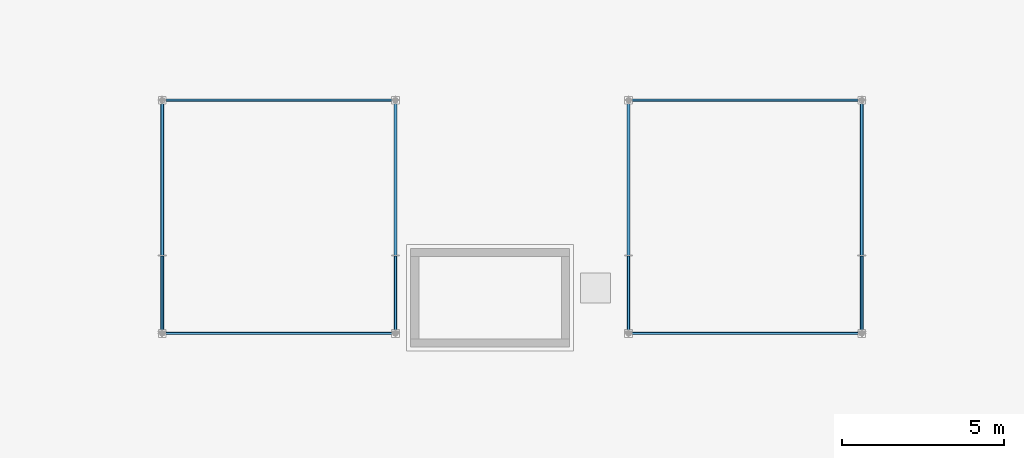
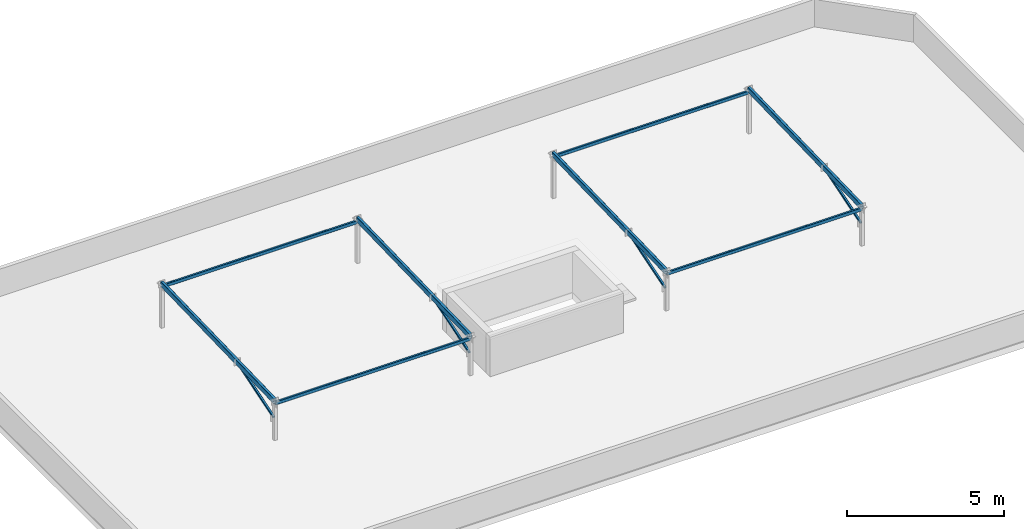
# One storey, part 4 of 31: 12 members.
"""IFC4 building model written with IfcOpenShell, lengths in metres."""

from ifc_helpers import new_model, si_unit, direction, frame, origin, origin_2d, place, context, subcontext, project, spatial, hollow_rectangle, extrude, material, material_profile, profile_set, type_object, element, save


model = new_model("IFC4")

# Units and contexts
model_context = context("Model", 3, precision=1e-05, world=origin(), true_north=direction((0.0, 1.0)))
body_context = subcontext(model_context, "Body", "Model", "MODEL_VIEW")
ifc_project = project(units=[si_unit("LENGTHUNIT", "METRE"), si_unit("AREAUNIT", "SQUARE_METRE"), si_unit("VOLUMEUNIT", "CUBIC_METRE"), si_unit("PLANEANGLEUNIT", "RADIAN"), si_unit("MASSUNIT", "GRAM", prefix="KILO")], contexts=[model_context])

# Site, building, storey
site_placement = place(None, origin())
site = spatial("IfcSite", under=ifc_project, at=site_placement, CompositionType="ELEMENT")
building_placement = place(site_placement, origin())
building = spatial("IfcBuilding", under=site, at=building_placement, Name="Ochrevale Crest", CompositionType="ELEMENT")
storey_placement = place(building_placement, frame((0.0, 0.0, 37.050048828125)))
storey = spatial("IfcBuildingStorey", under=building, at=storey_placement, Name="L11", CompositionType="ELEMENT", Elevation=37.050048828125)

# Members
ifc_material = material(Name="Steel S355", Category="steel")
ifc_material_profile_1 = material_profile(ifc_material, hollow_rectangle(XDim=0.074951171875, YDim=0.125, WallThickness=0.0048828125, InnerFilletRadius=0.0048828125, OuterFilletRadius=0.010009765625, at=origin_2d()), Name="125x75x5.0RHS")
ifc_profile_set_1 = profile_set([ifc_material_profile_1], Name="Steel S355")
member_type_1 = type_object("IfcMemberType", Name="MEM-RHS125-PR", PredefinedType="PURLIN", material=ifc_profile_set_1)
for number, where, z_axis, x_axis, name in (
    (1, (7.199951171875, 79.199951171875, 1.43994140625), (1.0, 0.0, 0.0), (0.0, 1.0, 0.0), "Block B solar-frame purlin W"),
    (2, (7.199951171875, 86.39990234375, 1.619873046875), (1.0, 0.0, 0.0), (0.0, 1.0, 0.0), "Block B solar-frame purlin W"),
    (3, (21.60009765625, 79.199951171875, 1.43994140625), (1.0, 0.0, 0.0), (0.0, 1.0, 0.0), "Block B solar-frame purlin E"),
    (4, (21.60009765625, 86.39990234375, 1.619873046875), (1.0, 0.0, 0.0), (0.0, 1.0, 0.0), "Block B solar-frame purlin E"),
):
    element("IfcMember", number, at=place(storey_placement, frame(where, z_axis=z_axis, x_axis=x_axis)), inside=storey, type_object=member_type_1, Name=name, PredefinedType="PURLIN", context=body_context, shape_type="SweptSolid", body=[
        extrude(hollow_rectangle(XDim=0.074951171875, YDim=0.125, WallThickness=0.0048828125, InnerFilletRadius=0.0048828125, OuterFilletRadius=0.010009765625, at=origin_2d()), origin(), (0.0, 0.0, 1.0), 7.199951171875),
    ])
ifc_material_profile_2 = material_profile(ifc_material, hollow_rectangle(XDim=0.10009765625, YDim=0.199951171875, WallThickness=0.006103515625, InnerFilletRadius=0.006103515625, OuterFilletRadius=0.011962890625, at=origin_2d()), Name="200x100x6.0RHS")
ifc_profile_set_2 = profile_set([ifc_material_profile_2], Name="Steel S355")
member_type_2 = type_object("IfcMemberType", Name="MEM-RHS200-RF", PredefinedType="RAFTER", material=ifc_profile_set_2)
for number, where, z_axis, x_axis, name in (
    (5, (7.199951171875, 79.199951171875, 1.52001953125), (0.0, 0.999614603568, 0.027760481514), (-1.0, 0.0, 0.0), "Block B solar-frame array rafter 1"),
    (6, (14.39990234375, 79.199951171875, 1.52001953125), (0.0, 0.999614603568, 0.027760481514), (-1.0, 0.0, 0.0), "Block B solar-frame array rafter 2"),
    (7, (21.60009765625, 79.199951171875, 1.52001953125), (0.0, 0.999614603568, 0.027760481514), (-1.0, 0.0, 0.0), "Block B solar-frame array rafter 3"),
    (8, (28.800048828125, 79.199951171875, 1.52001953125), (0.0, 0.999614603568, 0.027760481514), (-1.0, 0.0, 0.0), "Block B solar-frame array rafter 4"),
):
    element("IfcMember", number, at=place(storey_placement, frame(where, z_axis=z_axis, x_axis=x_axis)), inside=storey, type_object=member_type_2, Name=name, PredefinedType="RAFTER", context=body_context, shape_type="SweptSolid", body=[
        extrude(hollow_rectangle(XDim=0.10009765625, YDim=0.199951171875, WallThickness=0.006103515625, InnerFilletRadius=0.006103515625, OuterFilletRadius=0.011962890625, at=origin_2d()), origin(), (0.0, 0.0, 1.0), 7.20263671875),
    ])
ifc_material_profile_3 = material_profile(ifc_material, hollow_rectangle(XDim=0.074951171875, YDim=0.074951171875, WallThickness=0.0048828125, InnerFilletRadius=0.0048828125, OuterFilletRadius=0.010009765625, at=origin_2d()), Name="75x75x5.0SHS")
ifc_profile_set_3 = profile_set([ifc_material_profile_3], Name="Steel S355")
member_type_3 = type_object("IfcMemberType", Name="MEM-SHS75-ST", PredefinedType="STRUT", material=ifc_profile_set_3)
for number, where, z_axis, x_axis, name in (
    (9, (7.199951171875, 79.27001953125, 0.849853515625), (0.0, 0.953665688331, 0.300868334824), (-1.0, 0.0, 0.0), "Block B solar-frame knee-brace strut 1"),
    (10, (14.39990234375, 79.27001953125, 0.849853515625), (0.0, 0.953665688331, 0.300868334824), (-1.0, 0.0, 0.0), "Block B solar-frame knee-brace strut 2"),
    (11, (21.60009765625, 79.27001953125, 0.849853515625), (0.0, 0.953665688331, 0.300868334824), (-1.0, 0.0, 0.0), "Block B solar-frame knee-brace strut 3"),
    (12, (28.800048828125, 79.27001953125, 0.849853515625), (0.0, 0.953665688331, 0.300868334824), (-1.0, 0.0, 0.0), "Block B solar-frame knee-brace strut 4"),
):
    element("IfcMember", number, at=place(storey_placement, frame(where, z_axis=z_axis, x_axis=x_axis)), inside=storey, type_object=member_type_3, Name=name, PredefinedType="STRUT", context=body_context, shape_type="SweptSolid", body=[
        extrude(hollow_rectangle(XDim=0.074951171875, YDim=0.074951171875, WallThickness=0.0048828125, InnerFilletRadius=0.0048828125, OuterFilletRadius=0.010009765625, at=origin_2d()), origin(), (0.0, 0.0, 1.0), 2.443359375),
    ])

save(model, "model.ifc")
